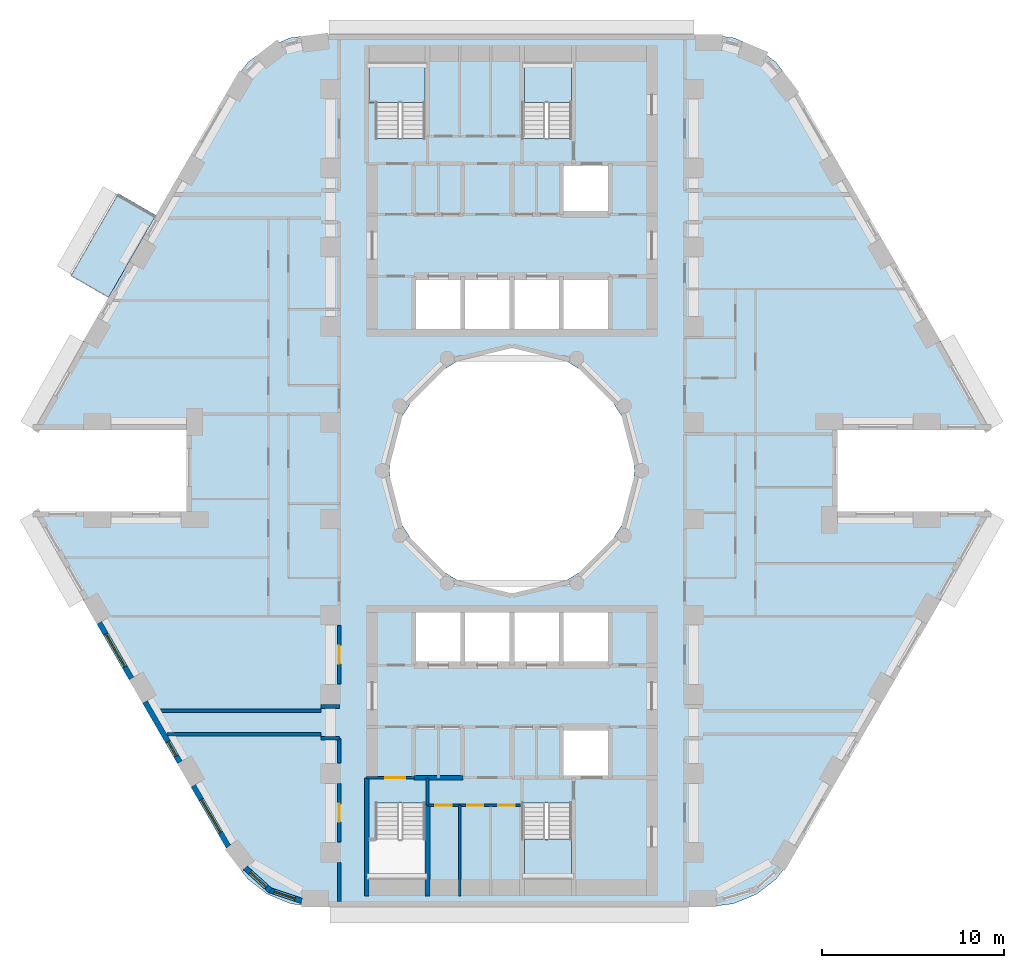
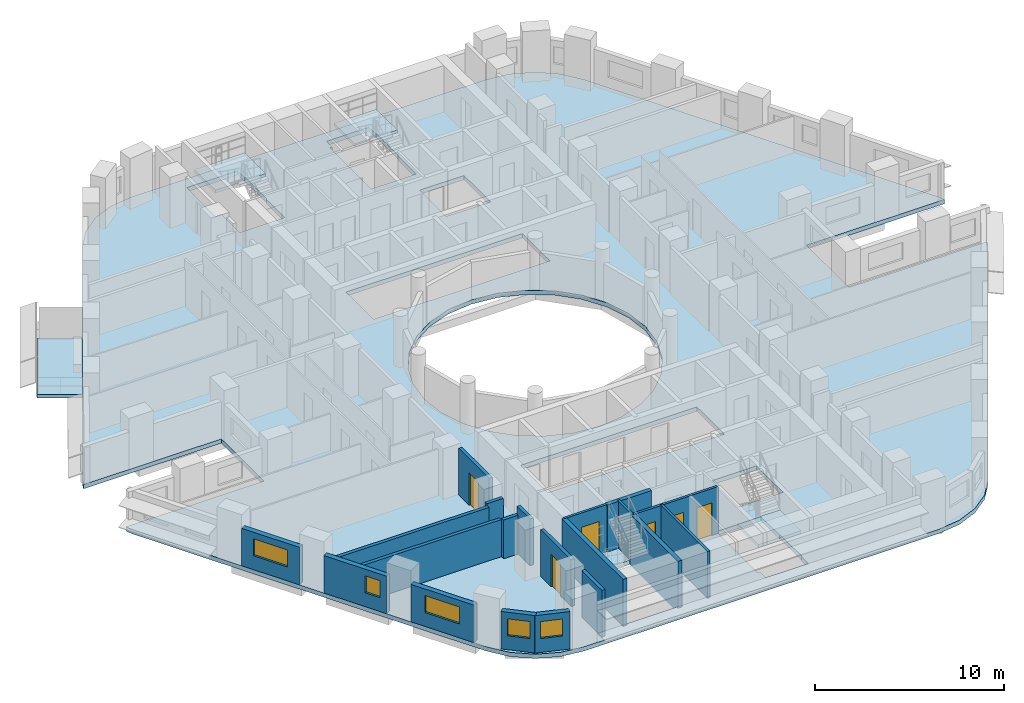
# One storey, part 2 of 13: 20 walls, 6 doors, 5 slabs, 5 windows, 11 openings, 3 elements without a shape of their own.
"""IFC4 building model written with IfcOpenShell, lengths in metres."""

from ifc_helpers import new_model, si_unit, direction, frame, frame_2d, origin, place, context, subcontext, project, spatial, polyline, rectangle, outline, extrude, material, layer, layer_set, type_object, element, fill, aggregate, save


model = new_model("IFC4")

# Units and contexts
model_context = context("Model", 3, precision=1e-05, world=origin(), true_north=direction((0.0, 1.0)))
body_context = subcontext(model_context, "Body", "Model", "MODEL_VIEW")
ifc_project = project(units=[si_unit("LENGTHUNIT", "METRE"), si_unit("AREAUNIT", "SQUARE_METRE"), si_unit("VOLUMEUNIT", "CUBIC_METRE"), si_unit("PLANEANGLEUNIT", "RADIAN"), si_unit("MASSUNIT", "GRAM", prefix="KILO")], contexts=[model_context])

# Site, building, storey
site_placement = place(None, origin())
site = spatial("IfcSite", under=ifc_project, at=site_placement, CompositionType="ELEMENT")
building_placement = place(site_placement, origin())
building = spatial("IfcBuilding", under=site, at=building_placement, Name="Nakaniwa Court", CompositionType="ELEMENT")
storey_placement = place(building_placement, frame((0.0, 0.0, 41.39990234375)))
storey = spatial("IfcBuildingStorey", under=building, at=storey_placement, Name="L10", CompositionType="ELEMENT", Elevation=41.39990234375)

# Slabs
ifc_material_1 = material(Name="Charcoal ceramic paver")
ifc_layer_1 = layer(ifc_material_1, 0.02, Name="Ceramic paver")
ifc_material_2 = material(Name="Cement sand screed")
ifc_layer_2 = layer(ifc_material_2, 0.03, Name="Falls screed")
ifc_material_3 = material(Name="Concrete C40/50", Category="concrete")
ifc_layer_3 = layer(ifc_material_3, 0.15, Name="Balcony slab")
ifc_layer_set_1 = layer_set([ifc_layer_1, ifc_layer_2, ifc_layer_3], Name="Concrete C40/50 balcony slab with ceramic paver finish")
slab_type_1 = type_object("IfcSlabType", Name="Balcony slab 200", PredefinedType="FLOOR", material=ifc_layer_set_1)
slab_1_placement = place(storey_placement, frame((0.0, 0.0, -0.25)))
element("IfcSlab", 1, at=slab_1_placement, inside=storey, type_object=slab_type_1, Name="L10 balcony 01", PredefinedType="FLOOR", context=body_context, shape_type="SweptSolid", body=[
    extrude(outline(polyline([(60.404541015625, 94.06005859375), (57.7900390625, 89.531005859375), (55.711669921875, 90.73095703125), (58.326171875, 95.260009765625), (60.404541015625, 94.06005859375)])), origin(), (0.0, 0.0, 1.0), 0.2001953125),
])
ifc_material_4 = material(Name="Concrete C100/115", Category="concrete")
ifc_layer_4 = layer(ifc_material_4, 0.27490234375)
ifc_layer_set_2 = layer_set([ifc_layer_4], Name="Concrete C100/115")
slab_type_2 = type_object("IfcSlabType", Name="Concrete C100/115 post tensioned floor slab 275", PredefinedType="FLOOR", material=ifc_layer_set_2)
slab_2_placement = place(storey_placement, frame((0.0, 0.0, -0.27490234375)))
element("IfcSlab", 2, at=slab_2_placement, inside=storey, type_object=slab_type_2, Name="FLOOR SLAB", PredefinedType="FLOOR", context=body_context, shape_type="SweptSolid", body=[
    extrude(outline(polyline([(97.908447265625, 82.25), (106.356689453125, 82.25), (106.211669921875, 82.60009765625), (95.357421875, 101.39990234375), (94.531005859375, 102.47705078125), (93.4541015625, 103.30322265625), (92.199951171875, 103.82275390625), (90.854248046875, 104.0), (69.145751953125, 104.0), (67.800048828125, 103.82275390625), (66.5458984375, 103.30322265625), (65.468994140625, 102.47705078125), (64.642578125, 101.39990234375), (53.788330078125, 82.60009765625), (53.643310546875, 82.25), (62.091552734375, 82.25), (62.091552734375, 77.75), (53.643310546875, 77.75), (53.788330078125, 77.39990234375), (64.642578125, 58.60009765625), (65.468994140625, 57.52294921875), (66.5458984375, 56.69677734375), (67.800048828125, 56.17724609375), (69.145751953125, 56.0), (90.854248046875, 56.0), (92.199951171875, 56.17724609375), (93.4541015625, 56.69677734375), (94.531005859375, 57.52294921875), (95.357421875, 58.60009765625), (106.211669921875, 77.39990234375), (106.356689453125, 77.75), (97.908447265625, 77.75), (97.908447265625, 82.25)]), holes=[polyline([(81.501953125, 86.580810546875), (80.0, 86.75), (78.498046875, 86.580810546875), (77.0712890625, 86.08154296875), (75.79150390625, 85.27734375), (74.72265625, 84.20849609375), (73.91845703125, 82.9287109375), (73.419189453125, 81.501953125), (73.25, 80.0), (73.419189453125, 78.498046875), (73.91845703125, 77.0712890625), (74.72265625, 75.79150390625), (75.79150390625, 74.72265625), (77.0712890625, 73.91845703125), (78.498046875, 73.419189453125), (80.0, 73.25), (81.501953125, 73.419189453125), (82.9287109375, 73.91845703125), (84.20849609375, 74.72265625), (85.27734375, 75.79150390625), (86.08154296875, 77.0712890625), (86.580810546875, 78.498046875), (86.75, 80.0), (86.580810546875, 81.501953125), (86.08154296875, 82.9287109375), (85.27734375, 84.20849609375), (84.20849609375, 85.27734375), (82.9287109375, 86.08154296875), (81.501953125, 86.580810546875)]), polyline([(75.264892578125, 57.4599609375), (75.264892578125, 59.764892578125), (75.22509765625, 59.764892578125), (75.22509765625, 61.7099609375), (72.47509765625, 61.7099609375), (72.47509765625, 59.764892578125), (72.0849609375, 59.764892578125), (72.0849609375, 57.4599609375), (72.125, 57.4599609375), (72.125, 56.72509765625), (75.22509765625, 56.72509765625), (75.22509765625, 57.324951171875), (75.22509765625, 57.4599609375), (75.264892578125, 57.4599609375)]), polyline([(80.0, 69.300048828125), (82.699951171875, 69.300048828125), (85.39990234375, 69.300048828125), (85.39990234375, 72.199951171875), (82.699951171875, 72.199951171875), (80.0, 72.199951171875), (77.300048828125, 72.199951171875), (74.60009765625, 72.199951171875), (74.60009765625, 69.300048828125), (77.300048828125, 69.300048828125), (80.0, 69.300048828125)]), polyline([(80.0, 87.800048828125), (82.699951171875, 87.800048828125), (85.39990234375, 87.800048828125), (85.39990234375, 90.699951171875), (82.699951171875, 90.699951171875), (80.0, 90.699951171875), (77.300048828125, 90.699951171875), (74.60009765625, 90.699951171875), (74.60009765625, 87.800048828125), (77.300048828125, 87.800048828125), (80.0, 87.800048828125)]), polyline([(75.264892578125, 100.235107421875), (75.264892578125, 102.5400390625), (75.22509765625, 102.5400390625), (75.22509765625, 102.675048828125), (75.22509765625, 103.27490234375), (72.125, 103.27490234375), (72.125, 102.5400390625), (72.0849609375, 102.5400390625), (72.0849609375, 100.235107421875), (72.47509765625, 100.235107421875), (72.47509765625, 98.2900390625), (75.22509765625, 98.2900390625), (75.22509765625, 100.235107421875), (75.264892578125, 100.235107421875)]), polyline([(83.27490234375, 61.7099609375), (80.52490234375, 61.7099609375), (80.52490234375, 57.324951171875), (80.675048828125, 57.324951171875), (80.675048828125, 56.72509765625), (83.27490234375, 56.72509765625), (83.27490234375, 57.324951171875), (83.27490234375, 57.4599609375), (83.31494140625, 57.4599609375), (83.31494140625, 59.764892578125), (83.27490234375, 59.764892578125), (83.27490234375, 61.7099609375)]), polyline([(85.39990234375, 65.89990234375), (82.699951171875, 65.89990234375), (82.699951171875, 63.10009765625), (85.39990234375, 63.10009765625), (85.39990234375, 65.89990234375)]), polyline([(85.39990234375, 96.89990234375), (82.699951171875, 96.89990234375), (82.699951171875, 94.10009765625), (85.39990234375, 94.10009765625), (85.39990234375, 96.89990234375)]), polyline([(83.27490234375, 100.235107421875), (83.31494140625, 100.235107421875), (83.31494140625, 102.5400390625), (83.27490234375, 102.5400390625), (83.27490234375, 102.675048828125), (83.27490234375, 103.27490234375), (80.675048828125, 103.27490234375), (80.675048828125, 102.675048828125), (80.52490234375, 102.675048828125), (80.52490234375, 98.2900390625), (83.27490234375, 98.2900390625), (83.27490234375, 100.235107421875)])]), origin(), (0.0, 0.0, 1.0), 0.27490234375),
])

# Stair, slab
ifc_material_5 = material(Name="Concrete C80/100", Category="concrete")
stair_type = type_object("IfcStairType", Name="Dog leg stair 1300 wide 18 risers", PredefinedType="HALF_TURN_STAIR", material=ifc_material_5)
stair_1_placement = place(storey_placement, origin())
stair_1 = element("IfcStair", 3, at=stair_1_placement, inside=storey, type_object=stair_type, Name="L10 Stair ST1", PredefinedType="HALF_TURN_STAIR")
ifc_layer_5 = layer(ifc_material_5, 0.199951171875)
ifc_layer_set_3 = layer_set([ifc_layer_5], Name="Concrete C80/100")
slab_type_3 = type_object("IfcSlabType", Name="Stair landing concrete", PredefinedType="LANDING", material=ifc_layer_set_3)
slab_3_placement = place(storey_placement, frame((0.0, 0.0, 1.4501953125)))
slab_3 = element("IfcSlab", 4, at=slab_3_placement, type_object=slab_type_3, Name="ST1 landing 1", PredefinedType="LANDING", context=body_context, shape_type="SweptSolid", body=[
    extrude(outline(polyline([(75.22509765625, 100.27490234375), (75.22509765625, 102.5), (72.125, 102.5), (72.125, 100.27490234375), (75.22509765625, 100.27490234375)])), origin(), (0.0, 0.0, 1.0), 0.199951171875),
])
aggregate(stair_1, [slab_3])

stair_2_placement = place(storey_placement, origin())
stair_2 = element("IfcStair", 5, at=stair_2_placement, inside=storey, type_object=stair_type, Name="L10 Stair ST2", PredefinedType="HALF_TURN_STAIR")
slab_4_placement = place(storey_placement, frame((0.0, 0.0, 1.4501953125)))
slab_4 = element("IfcSlab", 6, at=slab_4_placement, type_object=slab_type_3, Name="ST2 landing 1", PredefinedType="LANDING", context=body_context, shape_type="SweptSolid", body=[
    extrude(outline(polyline([(83.27490234375, 100.27490234375), (83.27490234375, 102.5), (80.675048828125, 102.5), (80.675048828125, 100.27490234375), (83.27490234375, 100.27490234375)])), origin(), (0.0, 0.0, 1.0), 0.199951171875),
])
aggregate(stair_2, [slab_4])

stair_3_placement = place(storey_placement, origin())
stair_3 = element("IfcStair", 7, at=stair_3_placement, inside=storey, type_object=stair_type, Name="L10 Stair ST4", PredefinedType="HALF_TURN_STAIR")
slab_5_placement = place(storey_placement, frame((0.0, 0.0, 1.4501953125)))
slab_5 = element("IfcSlab", 8, at=slab_5_placement, type_object=slab_type_3, Name="ST4 landing 1", PredefinedType="LANDING", context=body_context, shape_type="SweptSolid", body=[
    extrude(outline(polyline([(83.27490234375, 57.5), (83.27490234375, 59.72509765625), (80.675048828125, 59.72509765625), (80.675048828125, 57.5), (83.27490234375, 57.5)])), origin(), (0.0, 0.0, 1.0), 0.199951171875),
])
aggregate(stair_3, [slab_5])

# Walls
ifc_material_6 = material(Name="Acoustic double stud partition")
ifc_layer_6 = layer(ifc_material_6, 0.199951171875)
ifc_layer_set_4 = layer_set([ifc_layer_6], Name="Acoustic double stud partition")
wall_type_1 = type_object("IfcWallType", Name="Acoustic double stud partition 200", PredefinedType="PARTITIONING", material=ifc_layer_set_4)
wall_1_placement = place(storey_placement, frame((61.005126953125, 65.5, 0.0), z_axis=(0.0, 0.0, 1.0), x_axis=(1.0, 0.0, 0.0)))
element("IfcWall", 9, at=wall_1_placement, inside=storey, type_object=wall_type_1, Name="Partition PW-093", PredefinedType="PARTITIONING", context=body_context, shape_type="SweptSolid", body=[
    extrude(rectangle(XDim=8.494873046875, YDim=0.199951171875, at=frame_2d((4.24755859375, 0.0))), origin(), (0.0, 0.0, 1.0), 2.405029296875),
])
for number, where, z_axis, x_axis, name in (
    (10, (69.5, 65.27490234375, 0.0), (0.0, 0.0, 1.0), (1.0, 0.0, 0.0), "Partition PW-095"),
    (11, (69.5, 67.02490234375, 0.0), (0.0, 0.0, 1.0), (1.0, 0.0, 0.0), "Partition PW-097"),
):
    element("IfcWall", number, at=place(storey_placement, frame(where, z_axis=z_axis, x_axis=x_axis)), inside=storey, type_object=wall_type_1, Name=name, PredefinedType="PARTITIONING", context=body_context, shape_type="SweptSolid", body=[
        extrude(rectangle(XDim=1.0, YDim=0.199951171875, at=frame_2d((0.5, 0.0))), origin(), (0.0, 0.0, 1.0), 2.505126953125),
    ])
wall_2_placement = place(storey_placement, frame((60.254638671875, 66.800048828125, 0.0), z_axis=(0.0, 0.0, 1.0), x_axis=(1.0, 0.0, 0.0)))
element("IfcWall", 12, at=wall_2_placement, inside=storey, type_object=wall_type_1, Name="Partition PW-099", PredefinedType="PARTITIONING", context=body_context, shape_type="SweptSolid", body=[
    extrude(rectangle(XDim=9.245361328125, YDim=0.199951171875, at=frame_2d((4.62255859375, 0.0))), origin(), (0.0, 0.0, 1.0), 2.405029296875),
])
wall_3_placement = place(storey_placement, frame((70.5, 56.300048828125, 0.0), z_axis=(0.0, 0.0, 1.0), x_axis=(0.0, 1.0, 0.0)))
element("IfcWall", 13, at=wall_3_placement, inside=storey, type_object=wall_type_1, Name="Partition PW-101", PredefinedType="PARTITIONING", context=body_context, shape_type="SweptSolid", body=[
    extrude(rectangle(XDim=2.133056640625, YDim=0.199951171875, at=frame_2d((1.06640625, 0.0))), origin(), (0.0, 0.0, 1.0), 3.025146484375),
])

# Wall, opening, door
wall_4_placement = place(storey_placement, frame((70.5, 59.56689453125, 0.0), z_axis=(0.0, 0.0, 1.0), x_axis=(0.0, 1.0, 0.0)))
wall_4 = element("IfcWall", 14, at=wall_4_placement, inside=storey, type_object=wall_type_1, Name="Partition PW-102", PredefinedType="PARTITIONING", context=body_context, shape_type="SweptSolid", body=[
    extrude(rectangle(XDim=3.216064453125, YDim=0.199951171875, at=frame_2d((1.60791015625, 0.0))), origin(), (0.0, 0.0, 1.0), 3.025146484375),
])
opening_1_placement = place(wall_4_placement, frame((1.10791015625, 0.0, 0.0)))
opening_1 = element("IfcOpeningElement", 15, at=opening_1_placement, cuts=wall_4, Name="Opening D-02-03", PredefinedType="OPENING", context=body_context, shape_type="SweptSolid", body=[
    extrude(rectangle(XDim=1.0, YDim=2.10009765625, at=frame_2d((0.5, 1.050048828125))), frame((0.0, 0.10986328125, 0.0), z_axis=(0.0, -1.0, 0.0), x_axis=(1.0, 0.0, 0.0)), (0.0, 0.0, 1.0), 0.219970703125),
])
ifc_material_7 = material(Name="Solid core timber door set, black veneer", Category="wood")
door_type_1 = type_object("IfcDoorType", Name="Internal door 1000", OperationType="NOTDEFINED", PredefinedType="DOOR", material=ifc_material_7)
door_1_placement = place(opening_1_placement, origin())
door_1 = element("IfcDoor", 16, at=door_1_placement, inside=storey, type_object=door_type_1, Name="Door D-02-03 L10-043", OperationType="SINGLE_SWING_RIGHT", OverallHeight=2.10009765625, OverallWidth=1.0, PredefinedType="DOOR", context=body_context, shape_type="SweptSolid", body=[
    extrude(rectangle(XDim=1.0, YDim=2.10009765625, at=frame_2d((0.5, 1.050048828125))), frame((0.0, 0.02490234375, 0.0), z_axis=(0.0, -1.0, 0.0), x_axis=(1.0, 0.0, 0.0)), (0.0, 0.0, 1.0), 0.050048828125),
])
fill(opening_1, door_1)

# Wall
wall_5_placement = place(storey_placement, frame((70.5, 63.9169921875, 0.0), z_axis=(0.0, 0.0, 1.0), x_axis=(0.0, 1.0, 0.0)))
element("IfcWall", 17, at=wall_5_placement, inside=storey, type_object=wall_type_1, Name="Partition PW-103", PredefinedType="PARTITIONING", context=body_context, shape_type="SweptSolid", body=[
    extrude(rectangle(XDim=1.361083984375, YDim=0.199951171875, at=frame_2d((0.6806640625, 0.0))), origin(), (0.0, 0.0, 1.0), 3.025146484375),
])

# Wall, opening, door
wall_6_placement = place(storey_placement, frame((70.5, 68.26708984375, 0.0), z_axis=(0.0, 0.0, 1.0), x_axis=(0.0, 1.0, 0.0)))
wall_6 = element("IfcWall", 18, at=wall_6_placement, inside=storey, type_object=wall_type_1, Name="Partition PW-104", PredefinedType="PARTITIONING", context=body_context, shape_type="SweptSolid", body=[
    extrude(rectangle(XDim=3.2158203125, YDim=0.199951171875, at=frame_2d((1.60791015625, 0.0))), origin(), (0.0, 0.0, 1.0), 3.025146484375),
])
opening_2_placement = place(wall_6_placement, frame((1.10791015625, 0.0, 0.0)))
opening_2 = element("IfcOpeningElement", 19, at=opening_2_placement, cuts=wall_6, Name="Opening D-02-07", PredefinedType="OPENING", context=body_context, shape_type="SweptSolid", body=[
    extrude(rectangle(XDim=1.0, YDim=2.10009765625, at=frame_2d((0.5, 1.050048828125))), frame((0.0, 0.10986328125, 0.0), z_axis=(0.0, -1.0, 0.0), x_axis=(1.0, 0.0, 0.0)), (0.0, 0.0, 1.0), 0.219970703125),
])
door_2_placement = place(opening_2_placement, origin())
door_2 = element("IfcDoor", 20, at=door_2_placement, inside=storey, type_object=door_type_1, Name="Door D-02-07 L10-059", OperationType="SINGLE_SWING_RIGHT", OverallHeight=2.10009765625, OverallWidth=1.0, PredefinedType="DOOR", context=body_context, shape_type="SweptSolid", body=[
    extrude(rectangle(XDim=1.0, YDim=2.10009765625, at=frame_2d((0.5, 1.050048828125))), frame((0.0, 0.02490234375, 0.0), z_axis=(0.0, -1.0, 0.0), x_axis=(1.0, 0.0, 0.0)), (0.0, 0.0, 1.0), 0.050048828125),
])
fill(opening_2, door_2)

# Wall, opening, window
ifc_material_8 = material(Name="Charcoal ceramic cladding")
ifc_layer_7 = layer(ifc_material_8, 0.02, Name="Ceramic cladding")
ifc_material_9 = material(Name="Ventilated air cavity")
ifc_layer_8 = layer(ifc_material_9, 0.04, ventilated=True, Name="Ventilated cavity")
ifc_material_10 = material(Name="Mineral wool insulation")
ifc_layer_9 = layer(ifc_material_10, 0.1, Name="Insulation")
ifc_material_11 = material(Name="Cement bonded sheathing board")
ifc_layer_10 = layer(ifc_material_11, 0.012, Name="Sheathing")
ifc_material_12 = material(Name="Cold-formed galvanised stud frame with mineral wool infill")
ifc_layer_11 = layer(ifc_material_12, 0.1, Name="Stud frame")
ifc_material_13 = material(Name="Fire-rated gypsum plasterboard lining")
ifc_layer_12 = layer(ifc_material_13, 0.028, Name="Lining")
ifc_layer_set_5 = layer_set([ifc_layer_7, ifc_layer_8, ifc_layer_9, ifc_layer_10, ifc_layer_11, ifc_layer_12], Name="Charcoal ceramic faced external wall system")
wall_type_2 = type_object("IfcWallType", Name="Black ceramic faced external wall 300", PredefinedType="SOLIDWALL", material=ifc_layer_set_5)
wall_7_placement = place(storey_placement, frame((57.290283203125, 71.63427734375, 0.0), z_axis=(0.0, 0.0, 1.0), x_axis=(0.499977402622, -0.866038449993, 0.0)))
wall_7 = element("IfcWall", 21, at=wall_7_placement, inside=storey, type_object=wall_type_2, Name="L10 external wall 21", PredefinedType="SOLIDWALL", context=body_context, shape_type="SweptSolid", body=[
    extrude(rectangle(XDim=3.536865234375, YDim=0.300048828125, at=frame_2d((1.7685546875, 0.0))), origin(), (0.0, 0.0, 1.0), 2.425048828125),
])
opening_3_placement = place(wall_7_placement, frame((0.718505859375, 0.0, 0.89990234375)))
opening_3 = element("IfcOpeningElement", 22, at=opening_3_placement, cuts=wall_7, Name="Opening W7.21", PredefinedType="OPENING", context=body_context, shape_type="SweptSolid", body=[
    extrude(rectangle(XDim=2.10009765625, YDim=1.10009765625, at=frame_2d((1.050048828125, 0.550048828125))), frame((0.0, 0.159912109375, 0.0), z_axis=(0.0, -1.0, 0.0), x_axis=(1.0, 0.0, 0.0)), (0.0, 0.0, 1.0), 0.320068359375),
])
ifc_material_14 = material(Name="Black anodised aluminium frame with dark low-E laminated double glazing", Category="aluminium")
window_type_1 = type_object("IfcWindowType", Name="Dark glass window 2100x1100 sill 900", PartitioningType="SINGLE_PANEL", PredefinedType="WINDOW", material=ifc_material_14)
window_1_placement = place(opening_3_placement, origin())
window_1 = element("IfcWindow", 23, at=window_1_placement, inside=storey, type_object=window_type_1, Name="L10 habitable room window 21-0", OverallHeight=1.10009765625, OverallWidth=2.10009765625, PartitioningType="SINGLE_PANEL", PredefinedType="WINDOW", context=body_context, shape_type="SweptSolid", body=[
    extrude(rectangle(XDim=2.10009765625, YDim=1.10009765625, at=frame_2d((1.050048828125, 0.550048828125))), frame((0.0, 0.030029296875, 0.0), z_axis=(0.0, -1.0, 0.0), x_axis=(1.0, 0.0, 0.0)), (0.0, 0.0, 1.0), 0.06005859375),
])
fill(opening_3, window_1)

wall_8_placement = place(storey_placement, frame((59.8046875, 67.279296875, 0.0), z_axis=(0.0, 0.0, 1.0), x_axis=(0.500001735503, -0.866024401789, 0.0)))
wall_8 = element("IfcWall", 24, at=wall_8_placement, inside=storey, type_object=wall_type_2, Name="L10 external wall 22", PredefinedType="SOLIDWALL", context=body_context, shape_type="SweptSolid", body=[
    extrude(rectangle(XDim=3.833984375, YDim=0.300048828125, at=frame_2d((1.9169921875, 0.0))), origin(), (0.0, 0.0, 1.0), 2.425048828125),
])
opening_4_placement = place(wall_8_placement, frame((2.53125, 0.0, 0.89990234375)))
opening_4 = element("IfcOpeningElement", 25, at=opening_4_placement, cuts=wall_8, Name="Opening W9.22", PredefinedType="OPENING", context=body_context, shape_type="SweptSolid", body=[
    extrude(rectangle(XDim=0.89990234375, YDim=1.10009765625, at=frame_2d((0.449951171875, 0.550048828125))), frame((0.0, 0.159912109375, 0.0), z_axis=(0.0, -1.0, 0.0), x_axis=(1.0, 0.0, 0.0)), (0.0, 0.0, 1.0), 0.320068359375),
])
window_type_2 = type_object("IfcWindowType", Name="Dark glass window 900x1100 sill 900", PartitioningType="SINGLE_PANEL", PredefinedType="WINDOW", material=ifc_material_14)
window_2_placement = place(opening_4_placement, origin())
window_2 = element("IfcWindow", 26, at=window_2_placement, inside=storey, type_object=window_type_2, Name="L10 habitable room window 22-2", OverallHeight=1.10009765625, OverallWidth=0.89990234375, PartitioningType="SINGLE_PANEL", PredefinedType="WINDOW", context=body_context, shape_type="SweptSolid", body=[
    extrude(rectangle(XDim=0.89990234375, YDim=1.10009765625, at=frame_2d((0.449951171875, 0.550048828125))), frame((0.0, 0.030029296875, 0.0), z_axis=(0.0, -1.0, 0.0), x_axis=(1.0, 0.0, 0.0)), (0.0, 0.0, 1.0), 0.06005859375),
])
fill(opening_4, window_2)

wall_9_placement = place(storey_placement, frame((62.4677734375, 62.6669921875, 0.0), z_axis=(0.0, 0.0, 1.0), x_axis=(0.499948341072, -0.866055227026, 0.0)))
wall_9 = element("IfcWall", 27, at=wall_9_placement, inside=storey, type_object=wall_type_2, Name="L10 external wall 23", PredefinedType="SOLIDWALL", context=body_context, shape_type="SweptSolid", body=[
    extrude(rectangle(XDim=3.8671875, YDim=0.300048828125, at=frame_2d((1.93359375, 0.0))), origin(), (0.0, 0.0, 1.0), 2.425048828125),
])
opening_5_placement = place(wall_9_placement, frame((0.872314453125, 0.0, 0.89990234375)))
opening_5 = element("IfcOpeningElement", 28, at=opening_5_placement, cuts=wall_9, Name="Opening W7.23", PredefinedType="OPENING", context=body_context, shape_type="SweptSolid", body=[
    extrude(rectangle(XDim=2.10009765625, YDim=1.10009765625, at=frame_2d((1.050048828125, 0.550048828125))), frame((0.0, 0.159912109375, 0.0), z_axis=(0.0, -1.0, 0.0), x_axis=(1.0, 0.0, 0.0)), (0.0, 0.0, 1.0), 0.320068359375),
])
window_3_placement = place(opening_5_placement, origin())
window_3 = element("IfcWindow", 29, at=window_3_placement, inside=storey, type_object=window_type_1, Name="L10 habitable room window 23-0", OverallHeight=1.10009765625, OverallWidth=2.10009765625, PartitioningType="SINGLE_PANEL", PredefinedType="WINDOW", context=body_context, shape_type="SweptSolid", body=[
    extrude(rectangle(XDim=2.10009765625, YDim=1.10009765625, at=frame_2d((1.050048828125, 0.550048828125))), frame((0.0, 0.030029296875, 0.0), z_axis=(0.0, -1.0, 0.0), x_axis=(1.0, 0.0, 0.0)), (0.0, 0.0, 1.0), 0.06005859375),
])
fill(opening_5, window_3)

wall_10_placement = place(storey_placement, frame((65.3203125, 58.142578125, 0.0), z_axis=(0.0, 0.0, 1.0), x_axis=(0.7435526378, -0.668677407141, 0.0)))
wall_10 = element("IfcWall", 30, at=wall_10_placement, inside=storey, type_object=wall_type_2, Name="L10 external wall 24", PredefinedType="SOLIDWALL", context=body_context, shape_type="SweptSolid", body=[
    extrude(rectangle(XDim=1.878173828125, YDim=0.300048828125, at=frame_2d((0.93896484375, 0.0))), origin(), (0.0, 0.0, 1.0), 2.425048828125),
])
opening_6_placement = place(wall_10_placement, frame((0.366943359375, 0.0, 0.89990234375)))
opening_6 = element("IfcOpeningElement", 31, at=opening_6_placement, cuts=wall_10, Name="Opening W6.24", PredefinedType="OPENING", context=body_context, shape_type="SweptSolid", body=[
    extrude(rectangle(XDim=1.199951171875, YDim=1.10009765625, at=frame_2d((0.60009765625, 0.550048828125))), frame((0.0, 0.159912109375, 0.0), z_axis=(0.0, -1.0, 0.0), x_axis=(1.0, 0.0, 0.0)), (0.0, 0.0, 1.0), 0.320068359375),
])
window_type_3 = type_object("IfcWindowType", Name="Dark glass window 1200x1100 sill 900", PartitioningType="SINGLE_PANEL", PredefinedType="WINDOW", material=ifc_material_14)
window_4_placement = place(opening_6_placement, origin())
window_4 = element("IfcWindow", 32, at=window_4_placement, inside=storey, type_object=window_type_3, Name="L10 habitable room window 24-0", OverallHeight=1.10009765625, OverallWidth=1.199951171875, PartitioningType="SINGLE_PANEL", PredefinedType="WINDOW", context=body_context, shape_type="SweptSolid", body=[
    extrude(rectangle(XDim=1.199951171875, YDim=1.10009765625, at=frame_2d((0.60009765625, 0.550048828125))), frame((0.0, 0.030029296875, 0.0), z_axis=(0.0, -1.0, 0.0), x_axis=(1.0, 0.0, 0.0)), (0.0, 0.0, 1.0), 0.06005859375),
])
fill(opening_6, window_4)

wall_11_placement = place(storey_placement, frame((66.6240234375, 56.932861328125, 0.0), z_axis=(0.0, 0.0, 1.0), x_axis=(0.949246659442, -0.314532636683, 0.0)))
wall_11 = element("IfcWall", 33, at=wall_11_placement, inside=storey, type_object=wall_type_2, Name="L10 external wall 25", PredefinedType="SOLIDWALL", context=body_context, shape_type="SweptSolid", body=[
    extrude(rectangle(XDim=1.901611328125, YDim=0.300048828125, at=frame_2d((0.95068359375, 0.0))), origin(), (0.0, 0.0, 1.0), 2.425048828125),
])
opening_7_placement = place(wall_11_placement, frame((0.31005859375, 0.0, 0.89990234375)))
opening_7 = element("IfcOpeningElement", 34, at=opening_7_placement, cuts=wall_11, Name="Opening W6.25", PredefinedType="OPENING", context=body_context, shape_type="SweptSolid", body=[
    extrude(rectangle(XDim=1.199951171875, YDim=1.10009765625, at=frame_2d((0.60009765625, 0.550048828125))), frame((0.0, 0.159912109375, 0.0), z_axis=(0.0, -1.0, 0.0), x_axis=(1.0, 0.0, 0.0)), (0.0, 0.0, 1.0), 0.320068359375),
])
window_5_placement = place(opening_7_placement, origin())
window_5 = element("IfcWindow", 35, at=window_5_placement, inside=storey, type_object=window_type_3, Name="L10 habitable room window 25-0", OverallHeight=1.10009765625, OverallWidth=1.199951171875, PartitioningType="SINGLE_PANEL", PredefinedType="WINDOW", context=body_context, shape_type="SweptSolid", body=[
    extrude(rectangle(XDim=1.199951171875, YDim=1.10009765625, at=frame_2d((0.60009765625, 0.550048828125))), frame((0.0, 0.030029296875, 0.0), z_axis=(0.0, -1.0, 0.0), x_axis=(1.0, 0.0, 0.0)), (0.0, 0.0, 1.0), 0.06005859375),
])
fill(opening_7, window_5)

# Wall, openings, doors
ifc_material_15 = material(Name="Blockwork partition", Category="masonry")
ifc_layer_13 = layer(ifc_material_15, 0.14990234375)
ifc_layer_set_6 = layer_set([ifc_layer_13], Name="Blockwork partition")
wall_type_3 = type_object("IfcWallType", Name="Blockwork partition 150", PredefinedType="PARTITIONING", material=ifc_layer_set_6)
wall_12_placement = place(storey_placement, frame((80.550048828125, 61.60009765625, 0.0), z_axis=(0.0, 0.0, 1.0), x_axis=(-1.0, 0.0, 0.0)))
wall_12 = element("IfcWall", 36, at=wall_12_placement, inside=storey, type_object=wall_type_3, Name="Partition PW-070", PredefinedType="PARTITIONING", context=body_context, shape_type="SweptSolid", body=[
    extrude(rectangle(XDim=5.199951171875, YDim=0.14990234375, at=frame_2d((2.60009765625, 0.0))), origin(), (0.0, 0.0, 1.0), 3.025146484375),
])
opening_8_placement = place(wall_12_placement, frame((3.865966796875, 0.0, 0.0)))
opening_8 = element("IfcOpeningElement", 37, at=opening_8_placement, cuts=wall_12, Name="Opening D-05-18", PredefinedType="OPENING", context=body_context, shape_type="SweptSolid", body=[
    extrude(rectangle(XDim=0.89990234375, YDim=2.10009765625, at=frame_2d((0.449951171875, 1.050048828125))), frame((0.0, 0.0849609375, 0.0), z_axis=(0.0, -1.0, 0.0), x_axis=(1.0, 0.0, 0.0)), (0.0, 0.0, 1.0), 0.169921875),
])
opening_9_placement = place(wall_12_placement, frame((2.1240234375, 0.0, 0.0)))
opening_9 = element("IfcOpeningElement", 38, at=opening_9_placement, cuts=wall_12, Name="Opening D-05-19", PredefinedType="OPENING", context=body_context, shape_type="SweptSolid", body=[
    extrude(rectangle(XDim=0.89990234375, YDim=2.10009765625, at=frame_2d((0.449951171875, 1.050048828125))), frame((0.0, 0.0849609375, 0.0), z_axis=(0.0, -1.0, 0.0), x_axis=(1.0, 0.0, 0.0)), (0.0, 0.0, 1.0), 0.169921875),
])
opening_10_placement = place(wall_12_placement, frame((0.407958984375, 0.0, 0.0)))
opening_10 = element("IfcOpeningElement", 39, at=opening_10_placement, cuts=wall_12, Name="Opening D-05-20", PredefinedType="OPENING", context=body_context, shape_type="SweptSolid", body=[
    extrude(rectangle(XDim=0.89990234375, YDim=2.10009765625, at=frame_2d((0.449951171875, 1.050048828125))), frame((0.0, 0.0849609375, 0.0), z_axis=(0.0, -1.0, 0.0), x_axis=(1.0, 0.0, 0.0)), (0.0, 0.0, 1.0), 0.169921875),
])
ifc_material_16 = material(Name="Fire rated steel door set", Category="steel")
door_type_2 = type_object("IfcDoorType", Name="Service room door 900", OperationType="NOTDEFINED", PredefinedType="DOOR", material=ifc_material_16)
door_3_placement = place(opening_8_placement, origin())
door_3 = element("IfcDoor", 40, at=door_3_placement, inside=storey, type_object=door_type_2, Name="Door D-05-18 L10-026", OperationType="SINGLE_SWING_LEFT", OverallHeight=2.10009765625, OverallWidth=0.89990234375, PredefinedType="DOOR", context=body_context, shape_type="SweptSolid", body=[
    extrude(rectangle(XDim=0.89990234375, YDim=2.10009765625, at=frame_2d((0.449951171875, 1.050048828125))), frame((0.0, 0.02490234375, 0.0), z_axis=(0.0, -1.0, 0.0), x_axis=(1.0, 0.0, 0.0)), (0.0, 0.0, 1.0), 0.050048828125),
])
fill(opening_8, door_3)
door_4_placement = place(opening_9_placement, origin())
door_4 = element("IfcDoor", 41, at=door_4_placement, inside=storey, type_object=door_type_2, Name="Door D-05-19 L10-027", OperationType="SINGLE_SWING_RIGHT", OverallHeight=2.10009765625, OverallWidth=0.89990234375, PredefinedType="DOOR", context=body_context, shape_type="SweptSolid", body=[
    extrude(rectangle(XDim=0.89990234375, YDim=2.10009765625, at=frame_2d((0.449951171875, 1.050048828125))), frame((0.0, 0.02490234375, 0.0), z_axis=(0.0, -1.0, 0.0), x_axis=(1.0, 0.0, 0.0)), (0.0, 0.0, 1.0), 0.050048828125),
])
fill(opening_9, door_4)
door_5_placement = place(opening_10_placement, origin())
door_5 = element("IfcDoor", 42, at=door_5_placement, inside=storey, type_object=door_type_2, Name="Door D-05-20 L10-028", OperationType="SINGLE_SWING_LEFT", OverallHeight=2.10009765625, OverallWidth=0.89990234375, PredefinedType="DOOR", context=body_context, shape_type="SweptSolid", body=[
    extrude(rectangle(XDim=0.89990234375, YDim=2.10009765625, at=frame_2d((0.449951171875, 1.050048828125))), frame((0.0, 0.02490234375, 0.0), z_axis=(0.0, -1.0, 0.0), x_axis=(1.0, 0.0, 0.0)), (0.0, 0.0, 1.0), 0.050048828125),
])
fill(opening_10, door_5)

# Wall
wall_13_placement = place(storey_placement, frame((77.117919921875, 56.60009765625, 0.0), z_axis=(0.0, 0.0, 1.0), x_axis=(0.0, 1.0, 0.0)))
element("IfcWall", 43, at=wall_13_placement, inside=storey, type_object=wall_type_3, Name="Partition PW-071", PredefinedType="PARTITIONING", context=body_context, shape_type="SweptSolid", body=[
    extrude(rectangle(XDim=5.0, YDim=0.14990234375, at=frame_2d((2.5, 0.0))), origin(), (0.0, 0.0, 1.0), 3.025146484375),
])

# Wall, opening, door
ifc_layer_14 = layer(ifc_material_4, 0.14990234375)
ifc_layer_set_7 = layer_set([ifc_layer_14], Name="Concrete C100/115")
wall_type_4 = type_object("IfcWallType", Name="Concrete core wall 150 C100", PredefinedType="SHEAR", material=ifc_layer_set_7)
wall_14_placement = place(storey_placement, frame((72.0, 63.10009765625, -0.27490234375), z_axis=(0.0, 0.0, 1.0), x_axis=(1.0, 0.0, 0.0)))
wall_14 = element("IfcWall", 44, at=wall_14_placement, inside=storey, type_object=wall_type_4, Name="Core wall SW-58", PredefinedType="SHEAR", context=body_context, shape_type="SweptSolid", body=[
    extrude(rectangle(XDim=2.60009765625, YDim=0.14990234375, at=frame_2d((1.300048828125, 0.0))), origin(), (0.0, 0.0, 1.0), 3.300048828125),
])
opening_11_placement = place(wall_14_placement, frame((1.02001953125, 0.0, 0.27490234375)))
opening_11 = element("IfcOpeningElement", 45, at=opening_11_placement, cuts=wall_14, Name="Opening D-09-02", PredefinedType="OPENING", context=body_context, shape_type="SweptSolid", body=[
    extrude(rectangle(XDim=1.10009765625, YDim=2.10009765625, at=frame_2d((0.550048828125, 1.050048828125))), frame((0.0, 0.0849609375, 0.0), z_axis=(0.0, -1.0, 0.0), x_axis=(1.0, 0.0, 0.0)), (0.0, 0.0, 1.0), 0.169921875),
])
door_type_3 = type_object("IfcDoorType", Name="Stair door 1100", OperationType="NOTDEFINED", PredefinedType="DOOR", material=ifc_material_16)
door_6_placement = place(opening_11_placement, origin())
door_6 = element("IfcDoor", 46, at=door_6_placement, inside=storey, type_object=door_type_3, Name="Door D-09-02 L10-029", OperationType="SINGLE_SWING_LEFT", OverallHeight=2.10009765625, OverallWidth=1.10009765625, PredefinedType="DOOR", context=body_context, shape_type="SweptSolid", body=[
    extrude(rectangle(XDim=1.10009765625, YDim=2.10009765625, at=frame_2d((0.550048828125, 1.050048828125))), frame((0.0, 0.02490234375, 0.0), z_axis=(0.0, -1.0, 0.0), x_axis=(1.0, 0.0, 0.0)), (0.0, 0.0, 1.0), 0.050048828125),
])
fill(opening_11, door_6)

# Walls
wall_15_placement = place(storey_placement, frame((75.35009765625, 61.596923828125, -0.27490234375), z_axis=(0.0, 0.0, 1.0), x_axis=(0.0, 1.0, 0.0)))
element("IfcWall", 47, at=wall_15_placement, inside=storey, type_object=wall_type_4, Name="Core wall SW-64", PredefinedType="SHEAR", context=body_context, shape_type="SweptSolid", body=[
    extrude(rectangle(XDim=1.503173828125, YDim=0.14990234375, at=frame_2d((0.75146484375, 0.0))), origin(), (0.0, 0.0, 1.0), 3.300048828125),
])
ifc_layer_15 = layer(ifc_material_4, 0.25)
ifc_layer_set_8 = layer_set([ifc_layer_15], Name="Concrete C100/115")
wall_type_5 = type_object("IfcWallType", Name="Concrete core wall 250 C100", PredefinedType="SHEAR", material=ifc_layer_set_8)
wall_16_placement = place(storey_placement, frame((72.0, 56.60009765625, -0.27490234375), z_axis=(0.0, 0.0, 1.0), x_axis=(0.0, 1.0, 0.0)))
element("IfcWall", 48, at=wall_16_placement, inside=storey, type_object=wall_type_5, Name="Core wall SW-66", PredefinedType="SHEAR", context=body_context, shape_type="SweptSolid", body=[
    extrude(rectangle(XDim=6.5, YDim=0.25, at=frame_2d((3.25, 0.0))), origin(), (0.0, 0.0, 1.0), 3.300048828125),
])
ifc_layer_16 = layer(ifc_material_4, 0.25)
ifc_layer_set_9 = layer_set([ifc_layer_16], Name="Concrete C100/115")
wall_type_6 = type_object("IfcWallType", Name="Concrete shaft wall 250 C100", PredefinedType="SHEAR", material=ifc_layer_set_9)
wall_17_placement = place(storey_placement, frame((74.60009765625, 63.10009765625, -0.27490234375), z_axis=(0.0, 0.0, 1.0), x_axis=(1.0, 0.0, 0.0)))
element("IfcWall", 49, at=wall_17_placement, inside=storey, type_object=wall_type_6, Name="Core wall SW-60", PredefinedType="SHEAR", context=body_context, shape_type="SweptSolid", body=[
    extrude(rectangle(XDim=2.699951171875, YDim=0.25, at=frame_2d((1.35009765625, 0.0))), origin(), (0.0, 0.0, 1.0), 3.300048828125),
])
wall_18_placement = place(storey_placement, frame((75.35009765625, 56.60009765625, -0.27490234375), z_axis=(0.0, 0.0, 1.0), x_axis=(0.0, 1.0, 0.0)))
element("IfcWall", 50, at=wall_18_placement, inside=storey, type_object=wall_type_6, Name="Core wall SW-65", PredefinedType="SHEAR", context=body_context, shape_type="SweptSolid", body=[
    extrude(rectangle(XDim=5.0029296875, YDim=0.25, at=frame_2d((2.50146484375, 0.0))), origin(), (0.0, 0.0, 1.0), 3.300048828125),
])

save(model, "model.ifc")
